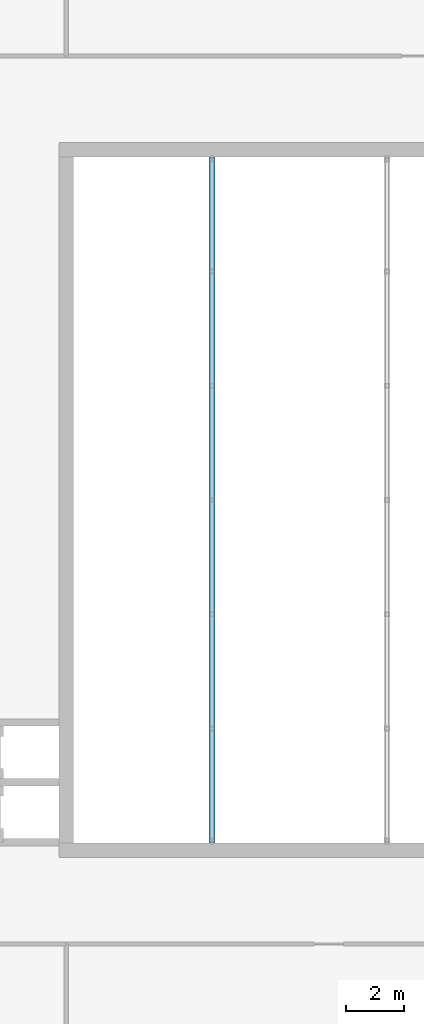
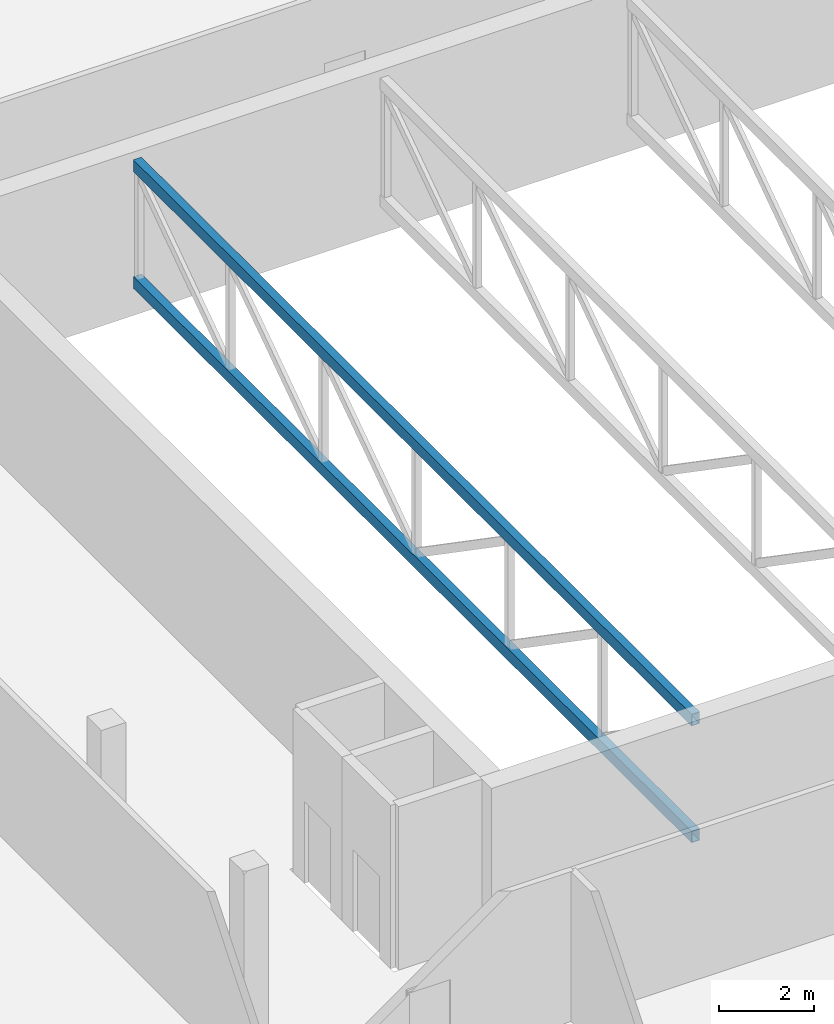
# One storey, part 9 of 47: 2 members.
"""IFC4 building model written with IfcOpenShell, lengths in metres."""

import ifcopenshell
import ifcopenshell.guid

model = None  # the IFC model being written
_history = None  # IfcOwnerHistory: only IFC2X3 demands one
_inside = {}  # id of a spatial element -> (the spatial element, [elements in it])
_under = {}  # id of a project, library or spatial element -> (it, [spatial elements below it])
_declared = {}  # id of a project -> (the project, [libraries it declares])
_typed = {}  # id of a type object -> (the type object, [elements of that type])
_made_of = {}  # id of a material, layer set ... -> (it, [elements and type objects made of it])


def new_model(schema):
    """Start an empty IFC model of exactly this schema.

    Asked for "IFC4X3", IfcOpenShell would pick the latest addendum, in which some entities
    have other attributes; the version numbers below select the first issue.
    IFC2X3 requires an IfcOwnerHistory on every rooted entity: one is made here for all.
    """
    global model, _history
    if schema == "IFC4X3":
        model = ifcopenshell.file(schema_version=(4, 3, 0, 0))
    else:
        model = ifcopenshell.file(schema=schema)
    _inside.clear()
    _under.clear()
    _declared.clear()
    _typed.clear()
    _made_of.clear()
    _history = None
    if model.schema == "IFC2X3":
        org = make("IfcOrganization", Name="unknown")
        user = make(
            "IfcPersonAndOrganization",
            ThePerson=make("IfcPerson", FamilyName="unknown"),
            TheOrganization=org,
        )
        app = make(
            "IfcApplication",
            ApplicationDeveloper=org,
            Version="unknown",
            ApplicationFullName="unknown",
            ApplicationIdentifier="unknown",
        )
        _history = make(
            "IfcOwnerHistory",
            OwningUser=user,
            OwningApplication=app,
            ChangeAction="ADDED",
            CreationDate=0,
        )
    return model


def make(cls, **values):
    """One entity of the class cls with the attributes given. An attribute that is None is left unset."""
    return model.create_entity(
        cls, **{name: value for name, value in values.items() if value is not None}
    )


def rooted(cls, **values):
    """An entity with a GlobalId (a new one), such as an element, a storey or a relation."""
    return make(cls, GlobalId=ifcopenshell.guid.new(), OwnerHistory=_history, **values)


def si_unit(unit_type, name, prefix=None):
    """IfcSIUnit, for example si_unit("LENGTHUNIT", "METRE", prefix="MILLI")."""
    return make("IfcSIUnit", UnitType=unit_type, Prefix=prefix, Name=name)


def assignment(units):
    """IfcUnitAssignment: the units of a project."""
    return None if units is None else make("IfcUnitAssignment", Units=units)


def point(xyz):
    """IfcCartesianPoint."""
    return None if xyz is None else make("IfcCartesianPoint", Coordinates=xyz)


def direction(xyz):
    """IfcDirection."""
    return None if xyz is None else make("IfcDirection", DirectionRatios=xyz)


def frame(location, z_axis=None, x_axis=None):
    """IfcAxis2Placement3D, a coordinate frame: its origin and axes. An axis left out is left unset."""
    return make(
        "IfcAxis2Placement3D",
        Location=point(location),
        Axis=direction(z_axis),
        RefDirection=direction(x_axis),
    )


def frame_2d(location, x_axis=None):
    """IfcAxis2Placement2D, a coordinate frame in the plane: its origin and x axis."""
    return make(
        "IfcAxis2Placement2D", Location=point(location), RefDirection=direction(x_axis)
    )


def origin():
    """The frame at (0, 0, 0) with its axes left unset."""
    return frame((0.0, 0.0, 0.0))


def origin_2d():
    """The frame at (0, 0) in the plane with its x axis left unset."""
    return frame_2d((0.0, 0.0))


def place(relative_to, where):
    """IfcLocalPlacement: puts the frame where relative to a parent placement (None: the world)."""
    return make(
        "IfcLocalPlacement", PlacementRelTo=relative_to, RelativePlacement=where
    )


def context(
    kind, dimensions, precision=None, world=None, true_north=None, identifier=None
):
    """IfcGeometricRepresentationContext, for example the 3D "Model" context."""
    return make(
        "IfcGeometricRepresentationContext",
        ContextIdentifier=identifier,
        ContextType=kind,
        CoordinateSpaceDimension=dimensions,
        Precision=precision,
        WorldCoordinateSystem=world,
        TrueNorth=true_north,
    )


def subcontext(parent, identifier, kind, view, scale=None):
    """IfcGeometricRepresentationSubContext, for example "Body" below "Model"."""
    return make(
        "IfcGeometricRepresentationSubContext",
        ContextIdentifier=identifier,
        ContextType=kind,
        ParentContext=parent,
        TargetScale=scale,
        TargetView=view,
    )


def project(units=None, contexts=None):
    """IfcProject with its units and contexts."""
    return rooted(
        "IfcProject",
        Name="project",
        RepresentationContexts=contexts,
        UnitsInContext=assignment(units),
    )


def spatial(cls, under=None, at=None, **own):
    """A site, building, storey or space (cls), placed at a placement, below another one or the project."""
    s = rooted(cls, ObjectPlacement=at, **own)
    if under is not None:
        _under.setdefault(under.id(), (under, []))[1].append(s)
    return s


def profile(cls, at=None, kind="AREA", **sizes):
    """A parametric profile (cls). Its sizes go by their IFC names, for example OverallWidth=200.0."""
    return make(cls, ProfileType=kind, Position=at, **sizes)


def hollow_rectangle(**sizes):
    """IfcRectangleHollowProfileDef."""
    return profile("IfcRectangleHollowProfileDef", **sizes)


def extrude(swept, where, along, depth):
    """IfcExtrudedAreaSolid: the profile swept, set in the frame where, extruded along a direction by depth."""
    return make(
        "IfcExtrudedAreaSolid",
        SweptArea=swept,
        Position=where,
        ExtrudedDirection=direction(along),
        Depth=depth,
    )


def shape(context_of_items, identifier, shape_type, items):
    """IfcShapeRepresentation: the items that make up one representation, for example the "Body"."""
    return make(
        "IfcShapeRepresentation",
        ContextOfItems=context_of_items,
        RepresentationIdentifier=identifier,
        RepresentationType=shape_type,
        Items=items,
    )


def material(Name=None, Category=None):
    """IfcMaterial."""
    return make("IfcMaterial", Name=Name, Category=Category)


def material_profile(
    of_material, cross_section, Name=None, Category=None, Priority=None
):
    """IfcMaterialProfile: a cross section and its material."""
    return make(
        "IfcMaterialProfile",
        Name=Name,
        Material=of_material,
        Profile=cross_section,
        Priority=Priority,
        Category=Category,
    )


def profile_set(profiles, Name=None, composite=None):
    """IfcMaterialProfileSet."""
    return make(
        "IfcMaterialProfileSet",
        Name=Name,
        MaterialProfiles=profiles,
        CompositeProfile=composite,
    )


def made_of(thing, what):
    """Note that an element or type object is made of a material, layer set ...; save() writes the relation."""
    if what is not None:
        _made_of.setdefault(what.id(), (what, []))[1].append(thing)
    return thing


def type_object(cls, material=None, **own):
    """A type object (cls), such as IfcWallType, which elements share."""
    return made_of(rooted(cls, **own), material)


def element(
    cls,
    number,
    at=None,
    inside=None,
    cuts=None,
    type_object=None,
    material=None,
    context=None,
    identifier="Body",
    shape_type=None,
    held_by="IfcProductDefinitionShape",
    body=None,
    shapes=None,
    **own,
):
    """One element of the class cls, such as IfcWall. Its Tag is "e" and its number.

    at: its placement. inside: the storey or other place that contains it. cuts: it is an
    opening in that element (IfcRelVoidsElement). A single representation is given by context,
    identifier, shape_type and body (its items); several are given by shapes. held_by: the class
    of the entity that holds the representations. save() writes the other relations.
    """
    e = rooted(cls, Tag="e%d" % number, ObjectPlacement=at, **own)
    if body is not None:
        shapes = [shape(context, identifier, shape_type, body)]
    if shapes is not None:
        e.Representation = make(held_by, Representations=shapes)
    if inside is not None:
        _inside.setdefault(inside.id(), (inside, []))[1].append(e)
    if cuts is not None:
        rooted(
            "IfcRelVoidsElement", RelatingBuildingElement=cuts, RelatedOpeningElement=e
        )
    if type_object is not None:
        _typed.setdefault(type_object.id(), (type_object, []))[1].append(e)
    return made_of(e, material)


def aggregate(whole, parts):
    """IfcRelAggregates: a whole, such as a stair, and the parts it consists of."""
    return rooted("IfcRelAggregates", RelatingObject=whole, RelatedObjects=parts)


def save(model, path):
    """Write the relations noted so far, then the file.

    IfcRelAggregates (storeys below a building ...), IfcRelContainedInSpatialStructure (elements
    in a storey), IfcRelDefinesByType, IfcRelAssociatesMaterial and IfcRelDeclares: one each for
    every whole, place, type object, material and project.
    """
    for whole, parts in _under.values():
        aggregate(whole, parts)
    for where, things in _inside.values():
        rooted(
            "IfcRelContainedInSpatialStructure",
            RelatedElements=things,
            RelatingStructure=where,
        )
    for kind, things in _typed.values():
        rooted("IfcRelDefinesByType", RelatedObjects=things, RelatingType=kind)
    for what, things in _made_of.values():
        rooted("IfcRelAssociatesMaterial", RelatedObjects=things, RelatingMaterial=what)
    for by, libraries in _declared.values():
        rooted("IfcRelDeclares", RelatingContext=by, RelatedDefinitions=libraries)
    model.write(path)


model = new_model("IFC4")

# Units and contexts
model_context = context("Model", 3, precision=1e-05, world=origin(), true_north=direction((0.0, 1.0)))
body_context = subcontext(model_context, "Body", "Model", "MODEL_VIEW")
ifc_project = project(units=[si_unit("LENGTHUNIT", "METRE"), si_unit("AREAUNIT", "SQUARE_METRE"), si_unit("VOLUMEUNIT", "CUBIC_METRE"), si_unit("PLANEANGLEUNIT", "RADIAN"), si_unit("MASSUNIT", "GRAM", prefix="KILO")], contexts=[model_context])

# Site, building, storey
site_placement = place(None, origin())
site = spatial("IfcSite", under=ifc_project, at=site_placement, CompositionType="ELEMENT")
building_placement = place(site_placement, origin())
building = spatial("IfcBuilding", under=site, at=building_placement, Name="Nakaniwa Court", CompositionType="ELEMENT")
storey_placement = place(building_placement, frame((0.0, 0.0, 15.60009765625)))
storey = spatial("IfcBuildingStorey", under=building, at=storey_placement, Name="L03", CompositionType="ELEMENT", Elevation=15.60009765625)

# Members
ifc_material = material(Name="Steel AS/NZS 1163 Grade C350L0", Category="steel")
ifc_material_profile = material_profile(ifc_material, hollow_rectangle(XDim=0.199951171875, YDim=0.300048828125, WallThickness=0.010009765625, at=origin_2d()), Name="RHS 300x200x10")
ifc_profile_set = profile_set([ifc_material_profile], Name="Steel AS/NZS 1163 Grade C350L0")
member_type = type_object("IfcMemberType", Name="Roof truss chord RHS 300x200x10", PredefinedType="CHORD", material=ifc_profile_set)
for number, where, z_axis, x_axis, name in (
    (1, (175.0, 68.25, 3.849853515625), (0.0, 1.0, 0.0), (-1.0, 0.0, 0.0), "Roof truss A1 top chord"),
    (2, (175.0, 68.25, 0.849853515625), (0.0, 1.0, 0.0), (-1.0, 0.0, 0.0), "Roof truss A1 bottom chord"),
):
    element("IfcMember", number, at=place(storey_placement, frame(where, z_axis=z_axis, x_axis=x_axis)), inside=storey, type_object=member_type, Name=name, PredefinedType="CHORD", context=body_context, shape_type="SweptSolid", body=[
        extrude(hollow_rectangle(XDim=0.199951171875, YDim=0.300048828125, WallThickness=0.010009765625, at=origin_2d()), origin(), (0.0, 0.0, 1.0), 23.5),
    ])

save(model, "model.ifc")
